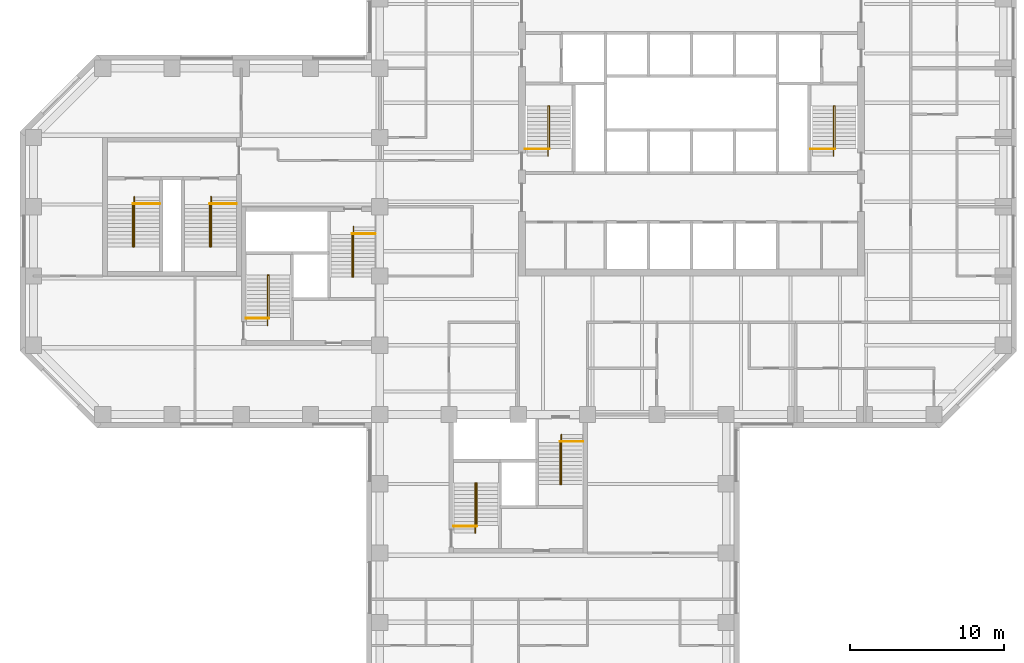
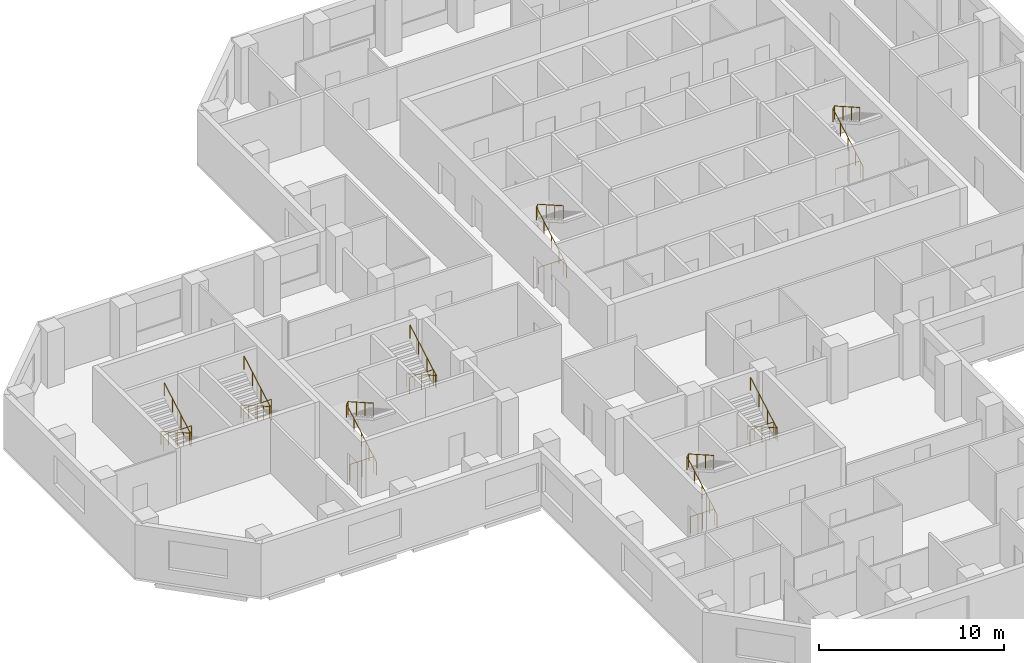
# One storey, part 11 of 11: 16 railings.
"""IFC4 building model written with IfcOpenShell, lengths in metres."""

from ifc_helpers import new_model, si_unit, direction, frame, origin, origin_2d, place, context, subcontext, project, spatial, circle, extrude, material, type_object, element, save


model = new_model("IFC4")

# Units and contexts
model_context = context("Model", 3, precision=1e-05, world=origin(), true_north=direction((0.0, 1.0)))
body_context = subcontext(model_context, "Body", "Model", "MODEL_VIEW")
ifc_project = project(units=[si_unit("LENGTHUNIT", "METRE"), si_unit("AREAUNIT", "SQUARE_METRE"), si_unit("VOLUMEUNIT", "CUBIC_METRE"), si_unit("PLANEANGLEUNIT", "RADIAN"), si_unit("MASSUNIT", "GRAM", prefix="KILO")], contexts=[model_context])

# Site, building, storey
site_placement = place(None, origin())
site = spatial("IfcSite", under=ifc_project, at=site_placement, CompositionType="ELEMENT")
building_placement = place(site_placement, origin())
building = spatial("IfcBuilding", under=site, at=building_placement, Name="Quoin Convention Tower", CompositionType="ELEMENT")
storey_placement = place(building_placement, frame((0.0, 0.0, 134.39990234375)))
storey = spatial("IfcBuildingStorey", under=building, at=storey_placement, Name="L35", CompositionType="ELEMENT", Elevation=134.39990234375)

# Railings
ifc_material = material(Name="Stainless steel", Category="steel")
railing_type_1 = type_object("IfcRailingType", Name="Stair handrail 900", PredefinedType="HANDRAIL", material=ifc_material)
railing_1_placement = place(storey_placement, frame((46.929931640625, 57.300048828125, 0.142333984375)))
element("IfcRailing", 1, at=railing_1_placement, inside=storey, type_object=railing_type_1, Name="SD1 handrail 1", PredefinedType="HANDRAIL", context=body_context, shape_type="SweptSolid", body=[
    extrude(circle(Radius=0.02392578125, at=origin_2d()), frame((0.0, 0.0, 0.8759765625), z_axis=(0.0, 0.869053504361, 0.494718108177), x_axis=(-1.0, 0.0, 0.0)), (0.0, 0.0, 1.0), 3.73974609375),
    extrude(circle(Radius=0.02392578125, at=origin_2d()), frame((0.0, 3.25, 2.72607421875), z_axis=(0.53481069233, 0.0, 0.844971906852), x_axis=(0.0, 1.0, 0.0)), (0.0, 0.0, 1.0), 0.16845703125),
    extrude(circle(Radius=0.02392578125, at=origin_2d()), frame((0.090087890625, 3.25, 2.8681640625), z_axis=(0.0, -0.869058607571, 0.494709143443), x_axis=(1.0, 0.0, 0.0)), (0.0, 0.0, 1.0), 3.164306640625),
    extrude(circle(Radius=0.02099609375, at=origin_2d()), origin(), (0.0, 0.0, 1.0), 0.851806640625),
    extrude(circle(Radius=0.02099609375, at=origin_2d()), frame((0.0, 0.8125, 0.46240234375)), (0.0, 0.0, 1.0), 0.851806640625),
    extrude(circle(Radius=0.02099609375, at=origin_2d()), frame((0.0, 1.625, 0.925048828125)), (0.0, 0.0, 1.0), 0.851806640625),
    extrude(circle(Radius=0.02099609375, at=origin_2d()), frame((0.0, 2.4375, 1.3876953125)), (0.0, 0.0, 1.0), 0.851806640625),
    extrude(circle(Radius=0.02099609375, at=origin_2d()), frame((0.0, 3.25, 1.85009765625)), (0.0, 0.0, 1.0), 0.851806640625),
    extrude(circle(Radius=0.02099609375, at=origin_2d()), frame((0.090087890625, 3.25, 1.992431640625)), (0.0, 0.0, 1.0), 0.851806640625),
    extrude(circle(Radius=0.02099609375, at=origin_2d()), frame((0.090087890625, 2.333251953125, 2.51416015625)), (0.0, 0.0, 1.0), 0.851806640625),
    extrude(circle(Radius=0.02099609375, at=origin_2d()), frame((0.090087890625, 1.416748046875, 3.0361328125)), (0.0, 0.0, 1.0), 0.851806640625),
    extrude(circle(Radius=0.02099609375, at=origin_2d()), frame((0.090087890625, 0.5, 3.557861328125)), (0.0, 0.0, 1.0), 0.851806640625),
])
railing_2_placement = place(storey_placement, frame((65.47998046875, 57.300048828125, 0.142333984375)))
element("IfcRailing", 2, at=railing_2_placement, inside=storey, type_object=railing_type_1, Name="SD2 handrail 1", PredefinedType="HANDRAIL", context=body_context, shape_type="SweptSolid", body=[
    extrude(circle(Radius=0.02392578125, at=origin_2d()), frame((0.0, 0.0, 0.8759765625), z_axis=(0.0, 0.869053504361, 0.494718108177), x_axis=(-1.0, 0.0, 0.0)), (0.0, 0.0, 1.0), 3.73974609375),
    extrude(circle(Radius=0.02392578125, at=origin_2d()), frame((0.0, 3.25, 2.72607421875), z_axis=(0.53481069233, 0.0, 0.844971906852), x_axis=(0.0, 1.0, 0.0)), (0.0, 0.0, 1.0), 0.16845703125),
    extrude(circle(Radius=0.02392578125, at=origin_2d()), frame((0.090087890625, 3.25, 2.8681640625), z_axis=(0.0, -0.869058607571, 0.494709143443), x_axis=(1.0, 0.0, 0.0)), (0.0, 0.0, 1.0), 3.164306640625),
    extrude(circle(Radius=0.02099609375, at=origin_2d()), origin(), (0.0, 0.0, 1.0), 0.851806640625),
    extrude(circle(Radius=0.02099609375, at=origin_2d()), frame((0.0, 0.8125, 0.46240234375)), (0.0, 0.0, 1.0), 0.851806640625),
    extrude(circle(Radius=0.02099609375, at=origin_2d()), frame((0.0, 1.625, 0.925048828125)), (0.0, 0.0, 1.0), 0.851806640625),
    extrude(circle(Radius=0.02099609375, at=origin_2d()), frame((0.0, 2.4375, 1.3876953125)), (0.0, 0.0, 1.0), 0.851806640625),
    extrude(circle(Radius=0.02099609375, at=origin_2d()), frame((0.0, 3.25, 1.85009765625)), (0.0, 0.0, 1.0), 0.851806640625),
    extrude(circle(Radius=0.02099609375, at=origin_2d()), frame((0.090087890625, 3.25, 1.992431640625)), (0.0, 0.0, 1.0), 0.851806640625),
    extrude(circle(Radius=0.02099609375, at=origin_2d()), frame((0.090087890625, 2.333251953125, 2.51416015625)), (0.0, 0.0, 1.0), 0.851806640625),
    extrude(circle(Radius=0.02099609375, at=origin_2d()), frame((0.090087890625, 1.416748046875, 3.0361328125)), (0.0, 0.0, 1.0), 0.851806640625),
    extrude(circle(Radius=0.02099609375, at=origin_2d()), frame((0.090087890625, 0.5, 3.557861328125)), (0.0, 0.0, 1.0), 0.851806640625),
])
railing_3_placement = place(storey_placement, frame((28.705078125, 46.300048828125, 0.142333984375)))
element("IfcRailing", 3, at=railing_3_placement, inside=storey, type_object=railing_type_1, Name="SD3 handrail 1", PredefinedType="HANDRAIL", context=body_context, shape_type="SweptSolid", body=[
    extrude(circle(Radius=0.02392578125, at=origin_2d()), frame((0.0, 0.0, 0.8759765625), z_axis=(0.0, 0.869053504361, 0.494718108177), x_axis=(-1.0, 0.0, 0.0)), (0.0, 0.0, 1.0), 3.73974609375),
    extrude(circle(Radius=0.02392578125, at=origin_2d()), frame((0.0, 3.25, 2.72607421875), z_axis=(0.533774684331, 0.0, 0.845626741753), x_axis=(0.0, 1.0, 0.0)), (0.0, 0.0, 1.0), 0.168212890625),
    extrude(circle(Radius=0.02392578125, at=origin_2d()), frame((0.08984375, 3.25, 2.8681640625), z_axis=(0.0, -0.869058607571, 0.494709143443), x_axis=(1.0, 0.0, 0.0)), (0.0, 0.0, 1.0), 3.164306640625),
    extrude(circle(Radius=0.02099609375, at=origin_2d()), origin(), (0.0, 0.0, 1.0), 0.851806640625),
    extrude(circle(Radius=0.02099609375, at=origin_2d()), frame((0.0, 0.8125, 0.46240234375)), (0.0, 0.0, 1.0), 0.851806640625),
    extrude(circle(Radius=0.02099609375, at=origin_2d()), frame((0.0, 1.625, 0.925048828125)), (0.0, 0.0, 1.0), 0.851806640625),
    extrude(circle(Radius=0.02099609375, at=origin_2d()), frame((0.0, 2.4375, 1.3876953125)), (0.0, 0.0, 1.0), 0.851806640625),
    extrude(circle(Radius=0.02099609375, at=origin_2d()), frame((0.0, 3.25, 1.85009765625)), (0.0, 0.0, 1.0), 0.851806640625),
    extrude(circle(Radius=0.02099609375, at=origin_2d()), frame((0.08984375, 3.25, 1.992431640625)), (0.0, 0.0, 1.0), 0.851806640625),
    extrude(circle(Radius=0.02099609375, at=origin_2d()), frame((0.08984375, 2.333251953125, 2.51416015625)), (0.0, 0.0, 1.0), 0.851806640625),
    extrude(circle(Radius=0.02099609375, at=origin_2d()), frame((0.08984375, 1.416748046875, 3.0361328125)), (0.0, 0.0, 1.0), 0.851806640625),
    extrude(circle(Radius=0.02099609375, at=origin_2d()), frame((0.08984375, 0.5, 3.557861328125)), (0.0, 0.0, 1.0), 0.851806640625),
])
railing_4_placement = place(storey_placement, frame((34.294921875, 52.699951171875, 0.142333984375)))
element("IfcRailing", 4, at=railing_4_placement, inside=storey, type_object=railing_type_1, Name="SD4 handrail 1", PredefinedType="HANDRAIL", context=body_context, shape_type="SweptSolid", body=[
    extrude(circle(Radius=0.02392578125, at=origin_2d()), frame((0.0, 0.0, 0.8759765625), z_axis=(0.0, -0.869053504361, 0.494718108177), x_axis=(1.0, 0.0, 0.0)), (0.0, 0.0, 1.0), 3.73974609375),
    extrude(circle(Radius=0.02392578125, at=origin_2d()), frame((0.0, -3.25, 2.72607421875), z_axis=(-0.533774684331, 0.0, 0.845626741753), x_axis=(0.0, -1.0, 0.0)), (0.0, 0.0, 1.0), 0.168212890625),
    extrude(circle(Radius=0.02392578125, at=origin_2d()), frame((-0.08984375, -3.25, 2.8681640625), z_axis=(0.0, 0.869058607571, 0.494709143443), x_axis=(-1.0, 0.0, 0.0)), (0.0, 0.0, 1.0), 3.164306640625),
    extrude(circle(Radius=0.02099609375, at=origin_2d()), origin(), (0.0, 0.0, 1.0), 0.851806640625),
    extrude(circle(Radius=0.02099609375, at=origin_2d()), frame((0.0, -0.8125, 0.46240234375)), (0.0, 0.0, 1.0), 0.851806640625),
    extrude(circle(Radius=0.02099609375, at=origin_2d()), frame((0.0, -1.625, 0.925048828125)), (0.0, 0.0, 1.0), 0.851806640625),
    extrude(circle(Radius=0.02099609375, at=origin_2d()), frame((0.0, -2.4375, 1.3876953125)), (0.0, 0.0, 1.0), 0.851806640625),
    extrude(circle(Radius=0.02099609375, at=origin_2d()), frame((0.0, -3.25, 1.85009765625)), (0.0, 0.0, 1.0), 0.851806640625),
    extrude(circle(Radius=0.02099609375, at=origin_2d()), frame((-0.08984375, -3.25, 1.992431640625)), (0.0, 0.0, 1.0), 0.851806640625),
    extrude(circle(Radius=0.02099609375, at=origin_2d()), frame((-0.08984375, -2.333251953125, 2.51416015625)), (0.0, 0.0, 1.0), 0.851806640625),
    extrude(circle(Radius=0.02099609375, at=origin_2d()), frame((-0.08984375, -1.416748046875, 3.0361328125)), (0.0, 0.0, 1.0), 0.851806640625),
    extrude(circle(Radius=0.02099609375, at=origin_2d()), frame((-0.08984375, -0.5, 3.557861328125)), (0.0, 0.0, 1.0), 0.851806640625),
])
railing_5_placement = place(storey_placement, frame((42.205078125, 32.800048828125, 0.142333984375)))
element("IfcRailing", 5, at=railing_5_placement, inside=storey, type_object=railing_type_1, Name="SD5 handrail 1", PredefinedType="HANDRAIL", context=body_context, shape_type="SweptSolid", body=[
    extrude(circle(Radius=0.02392578125, at=origin_2d()), frame((0.0, 0.0, 0.8759765625), z_axis=(0.0, 0.869053504361, 0.494718108177), x_axis=(-1.0, 0.0, 0.0)), (0.0, 0.0, 1.0), 3.73974609375),
    extrude(circle(Radius=0.02392578125, at=origin_2d()), frame((0.0, 3.25, 2.72607421875), z_axis=(0.533774684331, 0.0, 0.845626741753), x_axis=(0.0, 1.0, 0.0)), (0.0, 0.0, 1.0), 0.168212890625),
    extrude(circle(Radius=0.02392578125, at=origin_2d()), frame((0.08984375, 3.25, 2.8681640625), z_axis=(0.0, -0.869058607571, 0.494709143443), x_axis=(1.0, 0.0, 0.0)), (0.0, 0.0, 1.0), 3.164306640625),
    extrude(circle(Radius=0.02099609375, at=origin_2d()), origin(), (0.0, 0.0, 1.0), 0.851806640625),
    extrude(circle(Radius=0.02099609375, at=origin_2d()), frame((0.0, 0.8125, 0.46240234375)), (0.0, 0.0, 1.0), 0.851806640625),
    extrude(circle(Radius=0.02099609375, at=origin_2d()), frame((0.0, 1.625, 0.925048828125)), (0.0, 0.0, 1.0), 0.851806640625),
    extrude(circle(Radius=0.02099609375, at=origin_2d()), frame((0.0, 2.4375, 1.3876953125)), (0.0, 0.0, 1.0), 0.851806640625),
    extrude(circle(Radius=0.02099609375, at=origin_2d()), frame((0.0, 3.25, 1.85009765625)), (0.0, 0.0, 1.0), 0.851806640625),
    extrude(circle(Radius=0.02099609375, at=origin_2d()), frame((0.08984375, 3.25, 1.992431640625)), (0.0, 0.0, 1.0), 0.851806640625),
    extrude(circle(Radius=0.02099609375, at=origin_2d()), frame((0.08984375, 2.333251953125, 2.51416015625)), (0.0, 0.0, 1.0), 0.851806640625),
    extrude(circle(Radius=0.02099609375, at=origin_2d()), frame((0.08984375, 1.416748046875, 3.0361328125)), (0.0, 0.0, 1.0), 0.851806640625),
    extrude(circle(Radius=0.02099609375, at=origin_2d()), frame((0.08984375, 0.5, 3.557861328125)), (0.0, 0.0, 1.0), 0.851806640625),
])
railing_6_placement = place(storey_placement, frame((47.794921875, 39.199951171875, 0.142333984375)))
element("IfcRailing", 6, at=railing_6_placement, inside=storey, type_object=railing_type_1, Name="SD6 handrail 1", PredefinedType="HANDRAIL", context=body_context, shape_type="SweptSolid", body=[
    extrude(circle(Radius=0.02392578125, at=origin_2d()), frame((0.0, 0.0, 0.8759765625), z_axis=(0.0, -0.869053504361, 0.494718108177), x_axis=(1.0, 0.0, 0.0)), (0.0, 0.0, 1.0), 3.73974609375),
    extrude(circle(Radius=0.02392578125, at=origin_2d()), frame((0.0, -3.25, 2.72607421875), z_axis=(-0.533774684331, 0.0, 0.845626741753), x_axis=(0.0, -1.0, 0.0)), (0.0, 0.0, 1.0), 0.168212890625),
    extrude(circle(Radius=0.02392578125, at=origin_2d()), frame((-0.08984375, -3.25, 2.8681640625), z_axis=(0.0, 0.869058607571, 0.494709143443), x_axis=(-1.0, 0.0, 0.0)), (0.0, 0.0, 1.0), 3.164306640625),
    extrude(circle(Radius=0.02099609375, at=origin_2d()), origin(), (0.0, 0.0, 1.0), 0.851806640625),
    extrude(circle(Radius=0.02099609375, at=origin_2d()), frame((0.0, -0.8125, 0.46240234375)), (0.0, 0.0, 1.0), 0.851806640625),
    extrude(circle(Radius=0.02099609375, at=origin_2d()), frame((0.0, -1.625, 0.925048828125)), (0.0, 0.0, 1.0), 0.851806640625),
    extrude(circle(Radius=0.02099609375, at=origin_2d()), frame((0.0, -2.4375, 1.3876953125)), (0.0, 0.0, 1.0), 0.851806640625),
    extrude(circle(Radius=0.02099609375, at=origin_2d()), frame((0.0, -3.25, 1.85009765625)), (0.0, 0.0, 1.0), 0.851806640625),
    extrude(circle(Radius=0.02099609375, at=origin_2d()), frame((-0.08984375, -3.25, 1.992431640625)), (0.0, 0.0, 1.0), 0.851806640625),
    extrude(circle(Radius=0.02099609375, at=origin_2d()), frame((-0.08984375, -2.333251953125, 2.51416015625)), (0.0, 0.0, 1.0), 0.851806640625),
    extrude(circle(Radius=0.02099609375, at=origin_2d()), frame((-0.08984375, -1.416748046875, 3.0361328125)), (0.0, 0.0, 1.0), 0.851806640625),
    extrude(circle(Radius=0.02099609375, at=origin_2d()), frame((-0.08984375, -0.5, 3.557861328125)), (0.0, 0.0, 1.0), 0.851806640625),
])
railing_7_placement = place(storey_placement, frame((20.044921875, 54.64990234375, 0.142333984375)))
element("IfcRailing", 7, at=railing_7_placement, inside=storey, type_object=railing_type_1, Name="SD11 handrail 1", PredefinedType="HANDRAIL", context=body_context, shape_type="SweptSolid", body=[
    extrude(circle(Radius=0.02392578125, at=origin_2d()), frame((0.0, 0.0, 0.8759765625), z_axis=(0.0, -0.869053504361, 0.494718108177), x_axis=(1.0, 0.0, 0.0)), (0.0, 0.0, 1.0), 3.73974609375),
    extrude(circle(Radius=0.02392578125, at=origin_2d()), frame((0.0, -3.25, 2.72607421875), z_axis=(-0.533774684331, 0.0, 0.845626741753), x_axis=(0.0, -1.0, 0.0)), (0.0, 0.0, 1.0), 0.168212890625),
    extrude(circle(Radius=0.02392578125, at=origin_2d()), frame((-0.08984375, -3.25, 2.8681640625), z_axis=(0.0, 0.869058607571, 0.494709143443), x_axis=(-1.0, 0.0, 0.0)), (0.0, 0.0, 1.0), 3.164306640625),
    extrude(circle(Radius=0.02099609375, at=origin_2d()), origin(), (0.0, 0.0, 1.0), 0.851806640625),
    extrude(circle(Radius=0.02099609375, at=origin_2d()), frame((0.0, -0.8125, 0.46240234375)), (0.0, 0.0, 1.0), 0.851806640625),
    extrude(circle(Radius=0.02099609375, at=origin_2d()), frame((0.0, -1.625, 0.925048828125)), (0.0, 0.0, 1.0), 0.851806640625),
    extrude(circle(Radius=0.02099609375, at=origin_2d()), frame((0.0, -2.4375, 1.3876953125)), (0.0, 0.0, 1.0), 0.851806640625),
    extrude(circle(Radius=0.02099609375, at=origin_2d()), frame((0.0, -3.25, 1.85009765625)), (0.0, 0.0, 1.0), 0.851806640625),
    extrude(circle(Radius=0.02099609375, at=origin_2d()), frame((-0.08984375, -3.25, 1.992431640625)), (0.0, 0.0, 1.0), 0.851806640625),
    extrude(circle(Radius=0.02099609375, at=origin_2d()), frame((-0.08984375, -2.333251953125, 2.51416015625)), (0.0, 0.0, 1.0), 0.851806640625),
    extrude(circle(Radius=0.02099609375, at=origin_2d()), frame((-0.08984375, -1.416748046875, 3.0361328125)), (0.0, 0.0, 1.0), 0.851806640625),
    extrude(circle(Radius=0.02099609375, at=origin_2d()), frame((-0.08984375, -0.5, 3.557861328125)), (0.0, 0.0, 1.0), 0.851806640625),
])
railing_8_placement = place(storey_placement, frame((25.044921875, 54.64990234375, 0.142333984375)))
element("IfcRailing", 8, at=railing_8_placement, inside=storey, type_object=railing_type_1, Name="SD12 handrail 1", PredefinedType="HANDRAIL", context=body_context, shape_type="SweptSolid", body=[
    extrude(circle(Radius=0.02392578125, at=origin_2d()), frame((0.0, 0.0, 0.8759765625), z_axis=(0.0, -0.869053504361, 0.494718108177), x_axis=(1.0, 0.0, 0.0)), (0.0, 0.0, 1.0), 3.73974609375),
    extrude(circle(Radius=0.02392578125, at=origin_2d()), frame((0.0, -3.25, 2.72607421875), z_axis=(-0.533774684331, 0.0, 0.845626741753), x_axis=(0.0, -1.0, 0.0)), (0.0, 0.0, 1.0), 0.168212890625),
    extrude(circle(Radius=0.02392578125, at=origin_2d()), frame((-0.08984375, -3.25, 2.8681640625), z_axis=(0.0, 0.869058607571, 0.494709143443), x_axis=(-1.0, 0.0, 0.0)), (0.0, 0.0, 1.0), 3.164306640625),
    extrude(circle(Radius=0.02099609375, at=origin_2d()), origin(), (0.0, 0.0, 1.0), 0.851806640625),
    extrude(circle(Radius=0.02099609375, at=origin_2d()), frame((0.0, -0.8125, 0.46240234375)), (0.0, 0.0, 1.0), 0.851806640625),
    extrude(circle(Radius=0.02099609375, at=origin_2d()), frame((0.0, -1.625, 0.925048828125)), (0.0, 0.0, 1.0), 0.851806640625),
    extrude(circle(Radius=0.02099609375, at=origin_2d()), frame((0.0, -2.4375, 1.3876953125)), (0.0, 0.0, 1.0), 0.851806640625),
    extrude(circle(Radius=0.02099609375, at=origin_2d()), frame((0.0, -3.25, 1.85009765625)), (0.0, 0.0, 1.0), 0.851806640625),
    extrude(circle(Radius=0.02099609375, at=origin_2d()), frame((-0.08984375, -3.25, 1.992431640625)), (0.0, 0.0, 1.0), 0.851806640625),
    extrude(circle(Radius=0.02099609375, at=origin_2d()), frame((-0.08984375, -2.333251953125, 2.51416015625)), (0.0, 0.0, 1.0), 0.851806640625),
    extrude(circle(Radius=0.02099609375, at=origin_2d()), frame((-0.08984375, -1.416748046875, 3.0361328125)), (0.0, 0.0, 1.0), 0.851806640625),
    extrude(circle(Radius=0.02099609375, at=origin_2d()), frame((-0.08984375, -0.5, 3.557861328125)), (0.0, 0.0, 1.0), 0.851806640625),
])
railing_type_2 = type_object("IfcRailingType", Name="Stair top guard 1100", PredefinedType="GUARDRAIL", material=ifc_material)
for number, where, name in (
    (9, (45.449951171875, 57.75, 0.0), "SD1 top guard"),
    (10, (64.0, 57.75, 0.0), "SD2 top guard"),
):
    element("IfcRailing", number, at=place(storey_placement, frame(where)), inside=storey, type_object=railing_type_2, Name=name, PredefinedType="GUARDRAIL", context=body_context, shape_type="SweptSolid", body=[
        extrude(circle(Radius=0.02392578125, at=origin_2d()), frame((0.0, 0.0, 1.076171875), z_axis=(1.0, 0.0, 0.0), x_axis=(0.0, 1.0, 0.0)), (0.0, 0.0, 1.0), 1.570068359375),
        extrude(circle(Radius=0.02099609375, at=origin_2d()), origin(), (0.0, 0.0, 1.0), 1.052001953125),
        extrude(circle(Radius=0.02099609375, at=origin_2d()), frame((0.78515625, 0.0, 0.0)), (0.0, 0.0, 1.0), 1.052001953125),
        extrude(circle(Radius=0.02099609375, at=origin_2d()), frame((1.570068359375, 0.0, 0.0)), (0.0, 0.0, 1.0), 1.052001953125),
    ])
railing_9_placement = place(storey_placement, frame((27.300048828125, 46.75, 0.0)))
element("IfcRailing", 11, at=railing_9_placement, inside=storey, type_object=railing_type_2, Name="SD3 top guard", PredefinedType="GUARDRAIL", context=body_context, shape_type="SweptSolid", body=[
    extrude(circle(Radius=0.02392578125, at=origin_2d()), frame((0.0, 0.0, 1.076171875), z_axis=(1.0, 0.0, 0.0), x_axis=(0.0, 1.0, 0.0)), (0.0, 0.0, 1.0), 1.494873046875),
    extrude(circle(Radius=0.02099609375, at=origin_2d()), origin(), (0.0, 0.0, 1.0), 1.052001953125),
    extrude(circle(Radius=0.02099609375, at=origin_2d()), frame((0.74755859375, 0.0, 0.0)), (0.0, 0.0, 1.0), 1.052001953125),
    extrude(circle(Radius=0.02099609375, at=origin_2d()), frame((1.494873046875, 0.0, 0.0)), (0.0, 0.0, 1.0), 1.052001953125),
])
railing_10_placement = place(storey_placement, frame((35.699951171875, 52.25, 0.0)))
element("IfcRailing", 12, at=railing_10_placement, inside=storey, type_object=railing_type_2, Name="SD4 top guard", PredefinedType="GUARDRAIL", context=body_context, shape_type="SweptSolid", body=[
    extrude(circle(Radius=0.02392578125, at=origin_2d()), frame((0.0, 0.0, 1.076171875), z_axis=(-1.0, 0.0, 0.0), x_axis=(0.0, -1.0, 0.0)), (0.0, 0.0, 1.0), 1.494873046875),
    extrude(circle(Radius=0.02099609375, at=origin_2d()), origin(), (0.0, 0.0, 1.0), 1.052001953125),
    extrude(circle(Radius=0.02099609375, at=origin_2d()), frame((-0.74755859375, 0.0, 0.0)), (0.0, 0.0, 1.0), 1.052001953125),
    extrude(circle(Radius=0.02099609375, at=origin_2d()), frame((-1.494873046875, 0.0, 0.0)), (0.0, 0.0, 1.0), 1.052001953125),
])
railing_11_placement = place(storey_placement, frame((40.800048828125, 33.25, 0.0)))
element("IfcRailing", 13, at=railing_11_placement, inside=storey, type_object=railing_type_2, Name="SD5 top guard", PredefinedType="GUARDRAIL", context=body_context, shape_type="SweptSolid", body=[
    extrude(circle(Radius=0.02392578125, at=origin_2d()), frame((0.0, 0.0, 1.076171875), z_axis=(1.0, 0.0, 0.0), x_axis=(0.0, 1.0, 0.0)), (0.0, 0.0, 1.0), 1.494873046875),
    extrude(circle(Radius=0.02099609375, at=origin_2d()), origin(), (0.0, 0.0, 1.0), 1.052001953125),
    extrude(circle(Radius=0.02099609375, at=origin_2d()), frame((0.74755859375, 0.0, 0.0)), (0.0, 0.0, 1.0), 1.052001953125),
    extrude(circle(Radius=0.02099609375, at=origin_2d()), frame((1.494873046875, 0.0, 0.0)), (0.0, 0.0, 1.0), 1.052001953125),
])
railing_12_placement = place(storey_placement, frame((49.199951171875, 38.75, 0.0)))
element("IfcRailing", 14, at=railing_12_placement, inside=storey, type_object=railing_type_2, Name="SD6 top guard", PredefinedType="GUARDRAIL", context=body_context, shape_type="SweptSolid", body=[
    extrude(circle(Radius=0.02392578125, at=origin_2d()), frame((0.0, 0.0, 1.076171875), z_axis=(-1.0, 0.0, 0.0), x_axis=(0.0, -1.0, 0.0)), (0.0, 0.0, 1.0), 1.494873046875),
    extrude(circle(Radius=0.02099609375, at=origin_2d()), origin(), (0.0, 0.0, 1.0), 1.052001953125),
    extrude(circle(Radius=0.02099609375, at=origin_2d()), frame((-0.74755859375, 0.0, 0.0)), (0.0, 0.0, 1.0), 1.052001953125),
    extrude(circle(Radius=0.02099609375, at=origin_2d()), frame((-1.494873046875, 0.0, 0.0)), (0.0, 0.0, 1.0), 1.052001953125),
])
for number, where, name in (
    (15, (21.699951171875, 54.199951171875, 0.0), "SD11 top guard"),
    (16, (26.699951171875, 54.199951171875, 0.0), "SD12 top guard"),
):
    element("IfcRailing", number, at=place(storey_placement, frame(where)), inside=storey, type_object=railing_type_2, Name=name, PredefinedType="GUARDRAIL", context=body_context, shape_type="SweptSolid", body=[
        extrude(circle(Radius=0.02392578125, at=origin_2d()), frame((0.0, 0.0, 1.076171875), z_axis=(-1.0, 0.0, 0.0), x_axis=(0.0, -1.0, 0.0)), (0.0, 0.0, 1.0), 1.744873046875),
        extrude(circle(Radius=0.02099609375, at=origin_2d()), origin(), (0.0, 0.0, 1.0), 1.052001953125),
        extrude(circle(Radius=0.02099609375, at=origin_2d()), frame((-0.87255859375, 0.0, 0.0)), (0.0, 0.0, 1.0), 1.052001953125),
        extrude(circle(Radius=0.02099609375, at=origin_2d()), frame((-1.744873046875, 0.0, 0.0)), (0.0, 0.0, 1.0), 1.052001953125),
    ])

save(model, "model.ifc")
